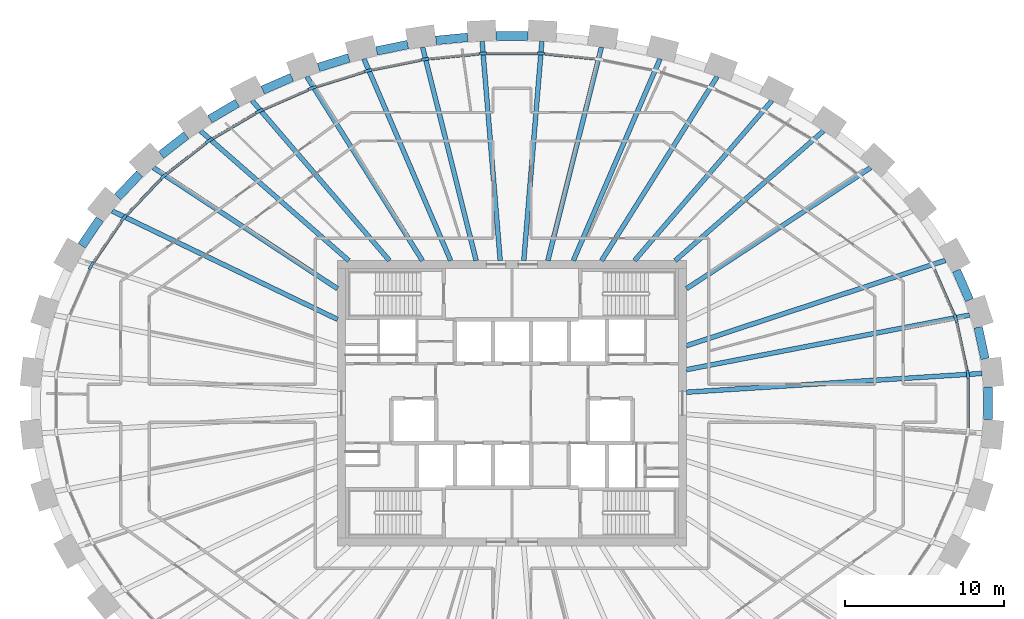
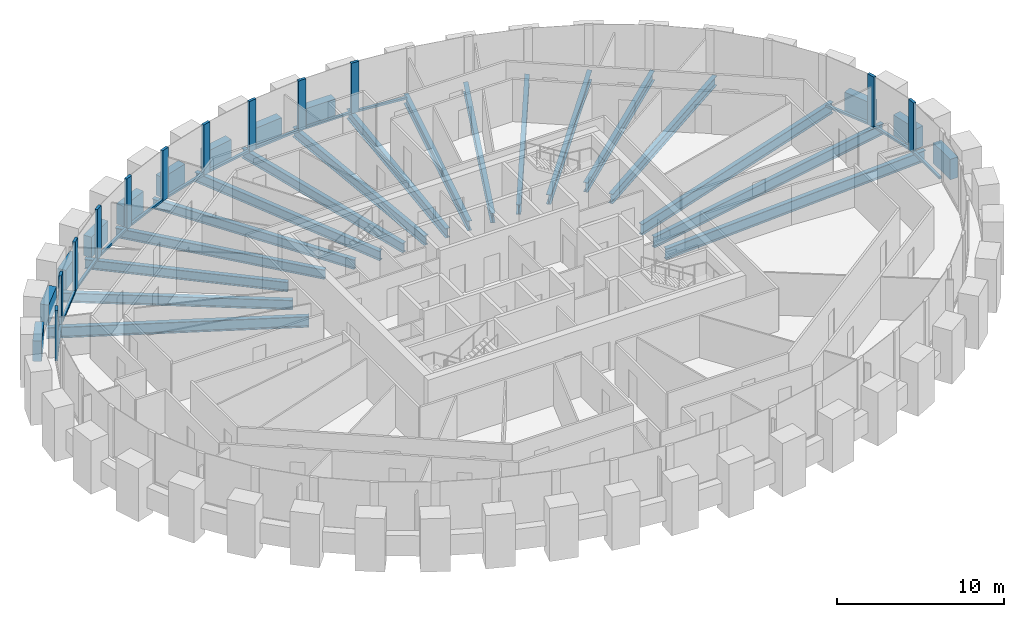
# One storey, part 3 of 12: 30 beams, 25 members, 1 element without a shape of its own.
"""IFC4 building model written with IfcOpenShell, lengths in metres."""

from ifc_helpers import new_model, si_unit, direction, frame, origin, origin_2d, place, context, subcontext, project, spatial, rectangle, i_section, extrude, source, transform, mapped, material, material_profile, profile_set, type_object, element, aggregate, save


model = new_model("IFC4")

# Units and contexts
model_context = context("Model", 3, precision=1e-05, world=origin(), true_north=direction((0.0, 1.0)))
body_context = subcontext(model_context, "Body", "Model", "MODEL_VIEW")
ifc_project = project(units=[si_unit("LENGTHUNIT", "METRE"), si_unit("AREAUNIT", "SQUARE_METRE"), si_unit("VOLUMEUNIT", "CUBIC_METRE"), si_unit("PLANEANGLEUNIT", "RADIAN"), si_unit("MASSUNIT", "GRAM", prefix="KILO")], contexts=[model_context])

# Site, building, storey
site_placement = place(None, origin())
site = spatial("IfcSite", under=ifc_project, at=site_placement, CompositionType="ELEMENT")
building_placement = place(site_placement, origin())
building = spatial("IfcBuilding", under=site, at=building_placement, Name="Embergate Tower", CompositionType="ELEMENT")
storey_placement = place(building_placement, frame((0.0, 0.0, 313.0)))
storey = spatial("IfcBuildingStorey", under=building, at=storey_placement, Name="L73", CompositionType="ELEMENT", Elevation=313.0)

# Beams
ifc_material_1 = material(Name="Concrete C50", Category="concrete")
ifc_material_profile_1 = material_profile(ifc_material_1, rectangle(XDim=0.550048828125, YDim=1.5, at=origin_2d()), Name="RC 550x1500")
ifc_profile_set_1 = profile_set([ifc_material_profile_1], Name="Concrete C50")
beam_type_1 = type_object("IfcBeamType", Name="Spandrel beam RC 550x1500 C50", PredefinedType="BEAM", material=ifc_profile_set_1)
shared_shape_1 = source(origin(), body_context, "Body", "SweptSolid", [
    extrude(rectangle(XDim=0.550048828125, YDim=1.5, at=origin_2d()), origin(), (0.0, 0.0, 1.0), 2.034423828125),
])
beam_1_placement = place(storey_placement, frame((29.823974609375, 2.80810546875, 0.0), z_axis=(-0.209897885741, 0.977723313398, 0.0), x_axis=(-0.977723313398, -0.209897885741, 0.0)))
element("IfcBeam", 1, at=beam_1_placement, inside=storey, type_object=beam_type_1, Name="SPN-L73-00", PredefinedType="BEAM", context=body_context, shape_type="MappedRepresentation", body=[
    mapped(shared_shape_1, transform((0.0, 0.0, 0.0))),
])
shared_shape_2 = source(origin(), body_context, "Body", "SweptSolid", [
    extrude(rectangle(XDim=0.550048828125, YDim=1.5, at=origin_2d()), origin(), (0.0, 0.0, 1.0), 2.03125),
])
beam_2_placement = place(storey_placement, frame((28.843017578125, 6.510009765625, 0.0), z_axis=(-0.401695096335, 0.915773470669, 0.0), x_axis=(-0.915773470669, -0.401695096335, 0.0)))
element("IfcBeam", 2, at=beam_2_placement, inside=storey, type_object=beam_type_1, Name="SPN-L73-01", PredefinedType="BEAM", context=body_context, shape_type="MappedRepresentation", body=[
    mapped(shared_shape_2, transform((0.0, 0.0, 0.0))),
])
shared_shape_3 = source(origin(), body_context, "Body", "SweptSolid", [
    extrude(rectangle(XDim=0.550048828125, YDim=1.5, at=origin_2d()), origin(), (0.0, 0.0, 1.0), 2.02392578125),
])
beam_3_placement = place(storey_placement, frame((-26.0, 11.60888671875, 0.0), z_axis=(-0.562220937061, -0.826987072408, 0.0), x_axis=(0.826987072408, -0.562220937061, 0.0)))
element("IfcBeam", 3, at=beam_3_placement, inside=storey, type_object=beam_type_1, Name="SPN-L73-18", PredefinedType="BEAM", context=body_context, shape_type="MappedRepresentation", body=[
    mapped(shared_shape_3, transform((0.0, 0.0, 0.0))),
])
shared_shape_4 = source(origin(), body_context, "Body", "SweptSolid", [
    extrude(rectangle(XDim=0.550048828125, YDim=1.5, at=origin_2d()), origin(), (0.0, 0.0, 1.0), 2.0185546875),
])
beam_4_placement = place(storey_placement, frame((-23.47607421875, 14.469970703125, 0.0), z_axis=(-0.690032605045, -0.723778283714, 0.0), x_axis=(0.723778283714, -0.690032605045, 0.0)))
element("IfcBeam", 4, at=beam_4_placement, inside=storey, type_object=beam_type_1, Name="SPN-L73-17", PredefinedType="BEAM", context=body_context, shape_type="MappedRepresentation", body=[
    mapped(shared_shape_4, transform((0.0, 0.0, 0.0))),
])
shared_shape_5 = source(origin(), body_context, "Body", "SweptSolid", [
    extrude(rectangle(XDim=0.550048828125, YDim=1.5, at=origin_2d()), origin(), (0.0, 0.0, 1.0), 2.011962890625),
])
beam_5_placement = place(storey_placement, frame((-20.5419921875, 16.902099609375, 0.0), z_axis=(-0.788259795351, -0.615342583471, 0.0), x_axis=(0.615342583471, -0.788259795351, 0.0)))
element("IfcBeam", 5, at=beam_5_placement, inside=storey, type_object=beam_type_1, Name="SPN-L73-16", PredefinedType="BEAM", context=body_context, shape_type="MappedRepresentation", body=[
    mapped(shared_shape_5, transform((0.0, 0.0, 0.0))),
])
shared_shape_6 = source(origin(), body_context, "Body", "SweptSolid", [
    extrude(rectangle(XDim=0.550048828125, YDim=1.5, at=origin_2d()), origin(), (0.0, 0.0, 1.0), 2.008056640625),
])
beam_6_placement = place(storey_placement, frame((-17.322021484375, 18.931884765625, 0.0), z_axis=(-0.86201859197, -0.506876658663, 0.0), x_axis=(0.506876658663, -0.86201859197, 0.0)))
element("IfcBeam", 6, at=beam_6_placement, inside=storey, type_object=beam_type_1, Name="SPN-L73-15", PredefinedType="BEAM", context=body_context, shape_type="MappedRepresentation", body=[
    mapped(shared_shape_6, transform((0.0, 0.0, 0.0))),
])
shared_shape_7 = source(origin(), body_context, "Body", "SweptSolid", [
    extrude(rectangle(XDim=0.550048828125, YDim=1.5, at=origin_2d()), origin(), (0.0, 0.0, 1.0), 2.0068359375),
])
beam_7_placement = place(storey_placement, frame((-13.8798828125, 20.552978515625, 0.0), z_axis=(-0.916455842534, -0.400135837793, 0.0), x_axis=(0.400135837793, -0.916455842534, 0.0)))
element("IfcBeam", 7, at=beam_7_placement, inside=storey, type_object=beam_type_1, Name="SPN-L73-14", PredefinedType="BEAM", context=body_context, shape_type="MappedRepresentation", body=[
    mapped(shared_shape_7, transform((0.0, 0.0, 0.0))),
])
shared_shape_8 = source(origin(), body_context, "Body", "SweptSolid", [
    extrude(rectangle(XDim=0.550048828125, YDim=1.5, at=origin_2d()), origin(), (0.0, 0.0, 1.0), 2.0048828125),
])
beam_8_placement = place(storey_placement, frame((-10.280029296875, 21.778076171875, 0.0), z_axis=(-0.954756929567, -0.297387298725, 0.0), x_axis=(0.297387298725, -0.954756929567, 0.0)))
element("IfcBeam", 8, at=beam_8_placement, inside=storey, type_object=beam_type_1, Name="SPN-L73-13", PredefinedType="BEAM", context=body_context, shape_type="MappedRepresentation", body=[
    mapped(shared_shape_8, transform((0.0, 0.0, 0.0))),
])
shared_shape_9 = source(origin(), body_context, "Body", "SweptSolid", [
    extrude(rectangle(XDim=0.550048828125, YDim=1.5, at=origin_2d()), origin(), (0.0, 0.0, 1.0), 2.003173828125),
])
beam_9_placement = place(storey_placement, frame((-6.572021484375, 22.617919921875, 0.0), z_axis=(-0.980364457571, -0.197194143753, 0.0), x_axis=(0.197194143753, -0.980364457571, 0.0)))
element("IfcBeam", 9, at=beam_9_placement, inside=storey, type_object=beam_type_1, Name="SPN-L73-12", PredefinedType="BEAM", context=body_context, shape_type="MappedRepresentation", body=[
    mapped(shared_shape_9, transform((0.0, 0.0, 0.0))),
])
shared_shape_10 = source(origin(), body_context, "Body", "SweptSolid", [
    extrude(rectangle(XDim=0.550048828125, YDim=1.5, at=origin_2d()), origin(), (0.0, 0.0, 1.0), 2.00341796875),
])
beam_10_placement = place(storey_placement, frame((-2.798095703125, 23.0791015625, 0.0), z_axis=(-0.995201107697, -0.097850678276, 0.0), x_axis=(0.097850678276, -0.995201107697, 0.0)))
element("IfcBeam", 10, at=beam_10_placement, inside=storey, type_object=beam_type_1, Name="SPN-L73-11", PredefinedType="BEAM", context=body_context, shape_type="MappedRepresentation", body=[
    mapped(shared_shape_10, transform((0.0, 0.0, 0.0))),
])
shared_shape_11 = source(origin(), body_context, "Body", "SweptSolid", [
    extrude(rectangle(XDim=0.550048828125, YDim=1.5, at=origin_2d()), origin(), (0.0, 0.0, 1.0), 2.001953125),
])
beam_11_placement = place(storey_placement, frame((1.0009765625, 23.1669921875, 0.0), z_axis=(-1.0, 0.0, 0.0), x_axis=(0.0, -1.0, 0.0)))
element("IfcBeam", 11, at=beam_11_placement, inside=storey, type_object=beam_type_1, Name="SPN-L73-10", PredefinedType="BEAM", context=body_context, shape_type="MappedRepresentation", body=[
    mapped(shared_shape_11, transform((0.0, 0.0, 0.0))),
])
shared_shape_12 = source(origin(), body_context, "Body", "SweptSolid", [
    extrude(rectangle(XDim=0.550048828125, YDim=1.5, at=origin_2d()), origin(), (0.0, 0.0, 1.0), 2.0361328125),
])
beam_12_placement = place(storey_placement, frame((30.014892578125, -1.01806640625, 0.0), z_axis=(0.0, 1.0, 0.0), x_axis=(-1.0, 0.0, 0.0)))
element("IfcBeam", 12, at=beam_12_placement, inside=storey, type_object=beam_type_1, Name="SPN-L73-43", PredefinedType="BEAM", context=body_context, shape_type="MappedRepresentation", body=[
    mapped(shared_shape_12, transform((0.0, 0.0, 0.0))),
])
ifc_material_2 = material(Name="Steel Q355B", Category="steel")
ifc_material_profile_2 = material_profile(ifc_material_2, i_section(OverallWidth=0.300048828125, OverallDepth=0.800048828125, WebThickness=0.013916015625, FlangeThickness=0.02587890625, FilletRadius=0.028076171875, at=origin_2d()), Name="HN 800x300x14x26")
ifc_profile_set_2 = profile_set([ifc_material_profile_2], Name="Steel Q355 grade B")
beam_type_2 = type_object("IfcBeamType", Name="Radial girder HN 800x300x14x26", PredefinedType="BEAM", material=ifc_profile_set_2)
shared_shape_13 = source(origin(), body_context, "Body", "SweptSolid", [
    extrude(i_section(OverallWidth=0.300048828125, OverallDepth=0.800048828125, WebThickness=0.013916015625, FlangeThickness=0.02587890625, FilletRadius=0.028076171875, at=origin_2d()), origin(), (0.0, 0.0, 1.0), 18.677490234375),
])
beam_13_placement = place(storey_placement, frame((29.639892578125, 1.883056640625, -0.60009765625), z_axis=(-0.997988431548, -0.063396297175, 0.0), x_axis=(0.063396297175, -0.997988431548, 0.0)))
element("IfcBeam", 13, at=beam_13_placement, inside=storey, type_object=beam_type_2, Name="GIR-L73-00", PredefinedType="BEAM", context=body_context, shape_type="MappedRepresentation", body=[
    mapped(shared_shape_13, transform((0.0, 0.0, 0.0))),
])
shared_shape_14 = source(origin(), body_context, "Body", "SweptSolid", [
    extrude(i_section(OverallWidth=0.300048828125, OverallDepth=0.800048828125, WebThickness=0.013916015625, FlangeThickness=0.02587890625, FilletRadius=0.028076171875, at=origin_2d()), origin(), (0.0, 0.0, 1.0), 18.177001953125),
])
beam_14_placement = place(storey_placement, frame((28.847900390625, 5.56494140625, -0.60009765625), z_axis=(-0.981898318419, -0.189408796749, 0.0), x_axis=(0.189408796749, -0.981898318419, 0.0)))
element("IfcBeam", 14, at=beam_14_placement, inside=storey, type_object=beam_type_2, Name="GIR-L73-01", PredefinedType="BEAM", context=body_context, shape_type="MappedRepresentation", body=[
    mapped(shared_shape_14, transform((0.0, 0.0, 0.0))),
])
shared_shape_15 = source(origin(), body_context, "Body", "SweptSolid", [
    extrude(i_section(OverallWidth=0.300048828125, OverallDepth=0.800048828125, WebThickness=0.013916015625, FlangeThickness=0.02587890625, FilletRadius=0.028076171875, at=origin_2d()), origin(), (0.0, 0.0, 1.0), 17.2001953125),
])
beam_15_placement = place(storey_placement, frame((27.3349609375, 9.014892578125, -0.60009765625), z_axis=(-0.949690470212, -0.313190055378, 0.0), x_axis=(0.313190055378, -0.949690470212, 0.0)))
element("IfcBeam", 15, at=beam_15_placement, inside=storey, type_object=beam_type_2, Name="GIR-L73-02", PredefinedType="BEAM", context=body_context, shape_type="MappedRepresentation", body=[
    mapped(shared_shape_15, transform((0.0, 0.0, 0.0))),
])
shared_shape_16 = source(origin(), body_context, "Body", "SweptSolid", [
    extrude(i_section(OverallWidth=0.300048828125, OverallDepth=0.800048828125, WebThickness=0.013916015625, FlangeThickness=0.02587890625, FilletRadius=0.028076171875, at=origin_2d()), origin(), (0.0, 0.0, 1.0), 15.775634765625),
])
beam_16_placement = place(storey_placement, frame((-25.216064453125, 12.131103515625, -0.60009765625), z_axis=(0.901141870193, -0.433524312795, 0.0), x_axis=(0.433524312795, 0.901141870193, 0.0)))
element("IfcBeam", 16, at=beam_16_placement, inside=storey, type_object=beam_type_2, Name="GIR-L73-18", PredefinedType="BEAM", context=body_context, shape_type="MappedRepresentation", body=[
    mapped(shared_shape_16, transform((0.0, 0.0, 0.0))),
])
ifc_material_profile_3 = material_profile(ifc_material_2, i_section(OverallWidth=0.300048828125, OverallDepth=0.699951171875, WebThickness=0.012939453125, FlangeThickness=0.02392578125, FilletRadius=0.01806640625, at=origin_2d()), Name="HN 700x300x13x24")
ifc_profile_set_3 = profile_set([ifc_material_profile_3], Name="Steel Q355 grade B")
beam_type_3 = type_object("IfcBeamType", Name="Radial girder HN 700x300x13x24", PredefinedType="BEAM", material=ifc_profile_set_3)
shared_shape_17 = source(origin(), body_context, "Body", "SweptSolid", [
    extrude(i_section(OverallWidth=0.300048828125, OverallDepth=0.699951171875, WebThickness=0.012939453125, FlangeThickness=0.02392578125, FilletRadius=0.01806640625, at=origin_2d()), origin(), (0.0, 0.0, 1.0), 13.89794921875),
])
for number, where, z_axis, x_axis, name in (
    (17, (22.614990234375, 14.85888671875, -0.550048828125), (-0.835734272266, -0.549134069386, 0.0), (0.549134069386, -0.835734272266, 0.0), "GIR-L73-04"),
    (18, (-22.614990234375, 14.85888671875, -0.550048828125), (0.835734272266, -0.549134069386, 0.0), (0.549134069386, 0.835734272266, 0.0), "GIR-L73-17"),
):
    element("IfcBeam", number, at=place(storey_placement, frame(where, z_axis=z_axis, x_axis=x_axis)), inside=storey, type_object=beam_type_3, Name=name, PredefinedType="BEAM", context=body_context, shape_type="MappedRepresentation", body=[
        mapped(shared_shape_17, transform((0.0, 0.0, 0.0))),
    ])
shared_shape_18 = source(origin(), body_context, "Body", "SweptSolid", [
    extrude(i_section(OverallWidth=0.300048828125, OverallDepth=0.699951171875, WebThickness=0.012939453125, FlangeThickness=0.02392578125, FilletRadius=0.01806640625, at=origin_2d()), origin(), (0.0, 0.0, 1.0), 12.424072265625),
])
for number, where, z_axis, x_axis, name in (
    (19, (19.64306640625, 17.178955078125, -0.550048828125), (-0.752739789834, -0.658318166847, 0.0), (0.658318166847, -0.752739789834, 0.0), "GIR-L73-05"),
    (20, (-19.64306640625, 17.178955078125, -0.550048828125), (0.752739789834, -0.658318166847, 0.0), (0.658318166847, 0.752739789834, 0.0), "GIR-L73-16"),
):
    element("IfcBeam", number, at=place(storey_placement, frame(where, z_axis=z_axis, x_axis=x_axis)), inside=storey, type_object=beam_type_3, Name=name, PredefinedType="BEAM", context=body_context, shape_type="MappedRepresentation", body=[
        mapped(shared_shape_18, transform((0.0, 0.0, 0.0))),
    ])
shared_shape_19 = source(origin(), body_context, "Body", "SweptSolid", [
    extrude(i_section(OverallWidth=0.300048828125, OverallDepth=0.699951171875, WebThickness=0.012939453125, FlangeThickness=0.02392578125, FilletRadius=0.01806640625, at=origin_2d()), origin(), (0.0, 0.0, 1.0), 13.300048828125),
])
for number, where, z_axis, x_axis, name in (
    (21, (16.39306640625, 19.090087890625, -0.550048828125), (-0.651501585067, -0.758647272885, 0.0), (0.758647272885, -0.651501585067, 0.0), "GIR-L73-06"),
    (22, (-16.39306640625, 19.090087890625, -0.550048828125), (0.651501585067, -0.758647272885, 0.0), (0.758647272885, 0.651501585067, 0.0), "GIR-L73-15"),
):
    element("IfcBeam", number, at=place(storey_placement, frame(where, z_axis=z_axis, x_axis=x_axis)), inside=storey, type_object=beam_type_3, Name=name, PredefinedType="BEAM", context=body_context, shape_type="MappedRepresentation", body=[
        mapped(shared_shape_19, transform((0.0, 0.0, 0.0))),
    ])
shared_shape_20 = source(origin(), body_context, "Body", "SweptSolid", [
    extrude(i_section(OverallWidth=0.300048828125, OverallDepth=0.699951171875, WebThickness=0.012939453125, FlangeThickness=0.02392578125, FilletRadius=0.01806640625, at=origin_2d()), origin(), (0.0, 0.0, 1.0), 13.698486328125),
])
for number, where, z_axis, x_axis, name in (
    (23, (12.93798828125, 20.60009765625, -0.550048828125), (-0.5318784163, -0.846820730895, 0.0), (0.846820730895, -0.5318784163, 0.0), "GIR-L73-07"),
    (24, (-12.93798828125, 20.60009765625, -0.550048828125), (0.5318784163, -0.846820730895, 0.0), (0.846820730895, 0.5318784163, 0.0), "GIR-L73-14"),
):
    element("IfcBeam", number, at=place(storey_placement, frame(where, z_axis=z_axis, x_axis=x_axis)), inside=storey, type_object=beam_type_3, Name=name, PredefinedType="BEAM", context=body_context, shape_type="MappedRepresentation", body=[
        mapped(shared_shape_20, transform((0.0, 0.0, 0.0))),
    ])
shared_shape_21 = source(origin(), body_context, "Body", "SweptSolid", [
    extrude(i_section(OverallWidth=0.300048828125, OverallDepth=0.699951171875, WebThickness=0.012939453125, FlangeThickness=0.02392578125, FilletRadius=0.01806640625, at=origin_2d()), origin(), (0.0, 0.0, 1.0), 13.846435546875),
])
for number, where, z_axis, x_axis, name in (
    (25, (9.3369140625, 21.720947265625, -0.550048828125), (-0.394906469697, -0.918721328909, 0.0), (0.918721328909, -0.394906469697, 0.0), "GIR-L73-08"),
    (26, (-9.3369140625, 21.720947265625, -0.550048828125), (0.394906469697, -0.918721328909, 0.0), (0.918721328909, 0.394906469697, 0.0), "GIR-L73-13"),
):
    element("IfcBeam", number, at=place(storey_placement, frame(where, z_axis=z_axis, x_axis=x_axis)), inside=storey, type_object=beam_type_3, Name=name, PredefinedType="BEAM", context=body_context, shape_type="MappedRepresentation", body=[
        mapped(shared_shape_21, transform((0.0, 0.0, 0.0))),
    ])
shared_shape_22 = source(origin(), body_context, "Body", "SweptSolid", [
    extrude(i_section(OverallWidth=0.300048828125, OverallDepth=0.699951171875, WebThickness=0.012939453125, FlangeThickness=0.02392578125, FilletRadius=0.01806640625, at=origin_2d()), origin(), (0.0, 0.0, 1.0), 13.88037109375),
])
for number, where, z_axis, x_axis, name in (
    (27, (5.638916015625, 22.462890625, -0.550048828125), (-0.243429448645, -0.969918606653, 0.0), (0.969918606653, -0.243429448645, 0.0), "GIR-L73-09"),
    (28, (-5.638916015625, 22.462890625, -0.550048828125), (0.243429448645, -0.969918606653, 0.0), (0.969918606653, 0.243429448645, 0.0), "GIR-L73-12"),
):
    element("IfcBeam", number, at=place(storey_placement, frame(where, z_axis=z_axis, x_axis=x_axis)), inside=storey, type_object=beam_type_3, Name=name, PredefinedType="BEAM", context=body_context, shape_type="MappedRepresentation", body=[
        mapped(shared_shape_22, transform((0.0, 0.0, 0.0))),
    ])
shared_shape_23 = source(origin(), body_context, "Body", "SweptSolid", [
    extrude(i_section(OverallWidth=0.300048828125, OverallDepth=0.699951171875, WebThickness=0.012939453125, FlangeThickness=0.02392578125, FilletRadius=0.01806640625, at=origin_2d()), origin(), (0.0, 0.0, 1.0), 13.879150390625),
])
for number, where, z_axis, x_axis, name in (
    (29, (1.885009765625, 22.83203125, -0.550048828125), (-0.082288456924, -0.996608553975, 0.0), (0.996608553975, -0.082288456924, 0.0), "GIR-L73-10"),
    (30, (-1.885009765625, 22.83203125, -0.550048828125), (0.082288456924, -0.996608553975, 0.0), (0.996608553975, 0.082288456924, 0.0), "GIR-L73-11"),
):
    element("IfcBeam", number, at=place(storey_placement, frame(where, z_axis=z_axis, x_axis=x_axis)), inside=storey, type_object=beam_type_3, Name=name, PredefinedType="BEAM", context=body_context, shape_type="MappedRepresentation", body=[
        mapped(shared_shape_23, transform((0.0, 0.0, 0.0))),
    ])

# Curtain wall, members
ifc_material_3 = material(Name="Aluminium and glass", Category="aluminium")
curtain_wall_type = type_object("IfcCurtainWallType", Name="Recessed office glazing", PredefinedType="NOTDEFINED", material=ifc_material_3)
curtain_wall_placement = place(storey_placement, origin())
curtain_wall = element("IfcCurtainWall", 31, at=curtain_wall_placement, inside=storey, type_object=curtain_wall_type, Name="Recessed office glazing ring", ObjectType="RECESSED OFFICE GLAZING", PredefinedType="USERDEFINED")
ifc_material_4 = material(Name="Aluminium, thermally broken", Category="aluminium")
ifc_material_profile_4 = material_profile(ifc_material_4, rectangle(XDim=0.179931640625, YDim=0.52001953125, at=origin_2d()), Name="AL 520x180")
ifc_profile_set_4 = profile_set([ifc_material_profile_4], Name="Aluminium, thermally broken")
member_type_1 = type_object("IfcMemberType", Name="Office mullion", PredefinedType="MULLION", material=ifc_profile_set_4)
shared_shape_24 = source(origin(), body_context, "Body", "SweptSolid", [
    extrude(rectangle(XDim=0.179931640625, YDim=0.52001953125, at=origin_2d()), origin(), (0.0, 0.0, 1.0), 3.699951171875),
])
member_1_placement = place(storey_placement, frame((28.7509765625, 1.809326171875, 0.0), z_axis=(0.0, 0.0, 1.0), x_axis=(-0.994384031216, -0.105831934987, 0.0)))
member_1 = element("IfcMember", 32, at=member_1_placement, type_object=member_type_1, Name="CW mullion 1", PredefinedType="MULLION", context=body_context, shape_type="MappedRepresentation", body=[
    mapped(shared_shape_24, transform((0.0, 0.0, 0.0))),
])
member_2_placement = place(storey_placement, frame((27.989013671875, 5.349853515625, 0.0), z_axis=(0.0, 0.0, 1.0), x_axis=(-0.951491891254, -0.307673822216, 0.0)))
member_2 = element("IfcMember", 33, at=member_2_placement, type_object=member_type_1, Name="CW mullion 2", PredefinedType="MULLION", context=body_context, shape_type="MappedRepresentation", body=[
    mapped(shared_shape_24, transform((0.0, 0.0, 0.0))),
])
member_3_placement = place(storey_placement, frame((1.834716796875, 22.05615234375, 0.0), z_axis=(0.0, 0.0, 1.0), x_axis=(-0.048971796621, -0.998800161762, 0.0)))
member_3 = element("IfcMember", 34, at=member_3_placement, type_object=member_type_1, Name="CW mullion 11", PredefinedType="MULLION", context=body_context, shape_type="MappedRepresentation", body=[
    mapped(shared_shape_24, transform((0.0, 0.0, 0.0))),
])
member_4_placement = place(storey_placement, frame((-1.834716796875, 22.05615234375, 0.0), z_axis=(0.0, 0.0, 1.0), x_axis=(0.048971796621, -0.998800161762, 0.0)))
member_4 = element("IfcMember", 35, at=member_4_placement, type_object=member_type_1, Name="CW mullion 12", PredefinedType="MULLION", context=body_context, shape_type="MappedRepresentation", body=[
    mapped(shared_shape_24, transform((0.0, 0.0, 0.0))),
])
member_5_placement = place(storey_placement, frame((-5.486328125, 21.697265625, 0.0), z_axis=(0.0, 0.0, 1.0), x_axis=(0.147410656556, -0.989075375456, 0.0)))
member_5 = element("IfcMember", 36, at=member_5_placement, type_object=member_type_1, Name="CW mullion 13", PredefinedType="MULLION", context=body_context, shape_type="MappedRepresentation", body=[
    mapped(shared_shape_24, transform((0.0, 0.0, 0.0))),
])
member_6_placement = place(storey_placement, frame((-9.082763671875, 20.97607421875, 0.0), z_axis=(0.0, 0.0, 1.0), x_axis=(0.247310190257, -0.968936360034, 0.0)))
member_6 = element("IfcMember", 37, at=member_6_placement, type_object=member_type_1, Name="CW mullion 14", PredefinedType="MULLION", context=body_context, shape_type="MappedRepresentation", body=[
    mapped(shared_shape_24, transform((0.0, 0.0, 0.0))),
])
member_7_placement = place(storey_placement, frame((-12.582763671875, 19.885986328125, 0.0), z_axis=(0.0, 0.0, 1.0), x_axis=(0.349501047589, -0.936935973124, 0.0)))
member_7 = element("IfcMember", 38, at=member_7_placement, type_object=member_type_1, Name="CW mullion 15", PredefinedType="MULLION", context=body_context, shape_type="MappedRepresentation", body=[
    mapped(shared_shape_24, transform((0.0, 0.0, 0.0))),
])
member_8_placement = place(storey_placement, frame((-15.9384765625, 18.418701171875, 0.0), z_axis=(0.0, 0.0, 1.0), x_axis=(0.454506716612, -0.890743310138, 0.0)))
member_8 = element("IfcMember", 39, at=member_8_placement, type_object=member_type_1, Name="CW mullion 16", PredefinedType="MULLION", context=body_context, shape_type="MappedRepresentation", body=[
    mapped(shared_shape_24, transform((0.0, 0.0, 0.0))),
])
member_9_placement = place(storey_placement, frame((-19.092041015625, 16.564697265625, 0.0), z_axis=(0.0, 0.0, 1.0), x_axis=(0.562210401679, -0.82699423471, 0.0)))
member_9 = element("IfcMember", 40, at=member_9_placement, type_object=member_type_1, Name="CW mullion 17", PredefinedType="MULLION", context=body_context, shape_type="MappedRepresentation", body=[
    mapped(shared_shape_24, transform((0.0, 0.0, 0.0))),
])
member_10_placement = place(storey_placement, frame((-21.97119140625, 14.3173828125, 0.0), z_axis=(0.0, 0.0, 1.0), x_axis=(0.671217477801, -0.741260478843, 0.0)))
member_10 = element("IfcMember", 41, at=member_10_placement, type_object=member_type_1, Name="CW mullion 18", PredefinedType="MULLION", context=body_context, shape_type="MappedRepresentation", body=[
    mapped(shared_shape_24, transform((0.0, 0.0, 0.0))),
])
member_11_placement = place(storey_placement, frame((-24.48681640625, 11.6796875, 0.0), z_axis=(0.0, 0.0, 1.0), x_axis=(0.777861596203, -0.628435626897, 0.0)))
member_11 = element("IfcMember", 42, at=member_11_placement, type_object=member_type_1, Name="CW mullion 19", PredefinedType="MULLION", context=body_context, shape_type="MappedRepresentation", body=[
    mapped(shared_shape_24, transform((0.0, 0.0, 0.0))),
])
member_12_placement = place(storey_placement, frame((-26.53173828125, 8.67236328125, 0.0), z_axis=(0.0, 0.0, 1.0), x_axis=(0.874991756265, -0.484137817639, 0.0)))
member_12 = element("IfcMember", 43, at=member_12_placement, type_object=member_type_1, Name="CW mullion 20", PredefinedType="MULLION", context=body_context, shape_type="MappedRepresentation", body=[
    mapped(shared_shape_24, transform((0.0, 0.0, 0.0))),
])
ifc_material_profile_5 = material_profile(ifc_material_4, rectangle(XDim=0.179931640625, YDim=0.14990234375, at=origin_2d()), Name="AL 150x180")
ifc_profile_set_5 = profile_set([ifc_material_profile_5], Name="Aluminium, thermally broken")
member_type_2 = type_object("IfcMemberType", Name="Office sill transom", PredefinedType="USERDEFINED", material=ifc_profile_set_5)
shared_shape_25 = source(origin(), body_context, "Body", "SweptSolid", [
    extrude(rectangle(XDim=0.179931640625, YDim=0.14990234375, at=origin_2d()), origin(), (0.0, 0.0, 1.0), 3.101318359375),
])
member_13_placement = place(storey_placement, frame((28.6962890625, 2.063720703125, 0.074951171875), z_axis=(-0.210416031857, 0.97761193402, 0.0), x_axis=(-0.97761193402, -0.210416031857, 0.0)))
member_13 = element("IfcMember", 44, at=member_13_placement, type_object=member_type_2, Name="CW transom 1.1", ObjectType="TRANSOM", PredefinedType="USERDEFINED", context=body_context, shape_type="MappedRepresentation", body=[
    mapped(shared_shape_25, transform((0.0, 0.0, 0.0))),
])
shared_shape_26 = source(origin(), body_context, "Body", "SweptSolid", [
    extrude(rectangle(XDim=0.179931640625, YDim=0.14990234375, at=origin_2d()), origin(), (0.0, 0.0, 1.0), 3.108154296875),
])
member_14_placement = place(storey_placement, frame((27.884765625, 5.587890625, 0.074951171875), z_axis=(-0.401688075914, 0.915776550075, 0.0), x_axis=(-0.915776550075, -0.401688075914, 0.0)))
member_14 = element("IfcMember", 45, at=member_14_placement, type_object=member_type_2, Name="CW transom 2.1", ObjectType="TRANSOM", PredefinedType="USERDEFINED", context=body_context, shape_type="MappedRepresentation", body=[
    mapped(shared_shape_26, transform((0.0, 0.0, 0.0))),
])
shared_shape_27 = source(origin(), body_context, "Body", "SweptSolid", [
    extrude(rectangle(XDim=0.179931640625, YDim=0.14990234375, at=origin_2d()), origin(), (0.0, 0.0, 1.0), 3.116455078125),
])
member_15_placement = place(storey_placement, frame((-24.633056640625, 11.464599609375, 0.074951171875), z_axis=(-0.562305735985, -0.826929416141, 0.0), x_axis=(0.826929416141, -0.562305735985, 0.0)))
member_15 = element("IfcMember", 46, at=member_15_placement, type_object=member_type_2, Name="CW transom 19.1", ObjectType="TRANSOM", PredefinedType="USERDEFINED", context=body_context, shape_type="MappedRepresentation", body=[
    mapped(shared_shape_27, transform((0.0, 0.0, 0.0))),
])
shared_shape_28 = source(origin(), body_context, "Body", "SweptSolid", [
    extrude(rectangle(XDim=0.179931640625, YDim=0.14990234375, at=origin_2d()), origin(), (0.0, 0.0, 1.0), 3.125244140625),
])
member_16_placement = place(storey_placement, frame((-22.150634765625, 14.12939453125, 0.074951171875), z_axis=(-0.69011149361, -0.723703065067, 0.0), x_axis=(0.723703065067, -0.69011149361, 0.0)))
member_16 = element("IfcMember", 47, at=member_16_placement, type_object=member_type_2, Name="CW transom 18.1", ObjectType="TRANSOM", PredefinedType="USERDEFINED", context=body_context, shape_type="MappedRepresentation", body=[
    mapped(shared_shape_28, transform((0.0, 0.0, 0.0))),
])
shared_shape_29 = source(origin(), body_context, "Body", "SweptSolid", [
    extrude(rectangle(XDim=0.179931640625, YDim=0.14990234375, at=origin_2d()), origin(), (0.0, 0.0, 1.0), 3.132080078125),
])
member_17_placement = place(storey_placement, frame((-19.297119140625, 16.404541015625, 0.074951171875), z_axis=(-0.788280741955, -0.615315749727, 0.0), x_axis=(0.615315749727, -0.788280741955, 0.0)))
member_17 = element("IfcMember", 48, at=member_17_placement, type_object=member_type_2, Name="CW transom 17.1", ObjectType="TRANSOM", PredefinedType="USERDEFINED", context=body_context, shape_type="MappedRepresentation", body=[
    mapped(shared_shape_29, transform((0.0, 0.0, 0.0))),
])
shared_shape_30 = source(origin(), body_context, "Body", "SweptSolid", [
    extrude(rectangle(XDim=0.179931640625, YDim=0.14990234375, at=origin_2d()), origin(), (0.0, 0.0, 1.0), 3.13818359375),
])
member_18_placement = place(storey_placement, frame((-16.16259765625, 18.286865234375, 0.074951171875), z_axis=(-0.862044187524, -0.506833127129, 0.0), x_axis=(0.506833127129, -0.862044187524, 0.0)))
member_18 = element("IfcMember", 49, at=member_18_placement, type_object=member_type_2, Name="CW transom 16.1", ObjectType="TRANSOM", PredefinedType="USERDEFINED", context=body_context, shape_type="MappedRepresentation", body=[
    mapped(shared_shape_30, transform((0.0, 0.0, 0.0))),
])
shared_shape_31 = source(origin(), body_context, "Body", "SweptSolid", [
    extrude(rectangle(XDim=0.179931640625, YDim=0.14990234375, at=origin_2d()), origin(), (0.0, 0.0, 1.0), 3.142578125),
])
member_19_placement = place(storey_placement, frame((-12.82080078125, 19.78173828125, 0.074951171875), z_axis=(-0.916239332715, -0.400631358217, 0.0), x_axis=(0.400631358217, -0.916239332715, 0.0)))
member_19 = element("IfcMember", 50, at=member_19_placement, type_object=member_type_2, Name="CW transom 15.1", ObjectType="TRANSOM", PredefinedType="USERDEFINED", context=body_context, shape_type="MappedRepresentation", body=[
    mapped(shared_shape_31, transform((0.0, 0.0, 0.0))),
])
shared_shape_32 = source(origin(), body_context, "Body", "SweptSolid", [
    extrude(rectangle(XDim=0.179931640625, YDim=0.14990234375, at=origin_2d()), origin(), (0.0, 0.0, 1.0), 3.145751953125),
])
member_20_placement = place(storey_placement, frame((-9.3310546875, 20.898681640625, 0.074951171875), z_axis=(-0.954775040365, -0.297329148077, 0.0), x_axis=(0.297329148077, -0.954775040365, 0.0)))
member_20 = element("IfcMember", 51, at=member_20_placement, type_object=member_type_2, Name="CW transom 14.1", ObjectType="TRANSOM", PredefinedType="USERDEFINED", context=body_context, shape_type="MappedRepresentation", body=[
    mapped(shared_shape_32, transform((0.0, 0.0, 0.0))),
])
shared_shape_33 = source(origin(), body_context, "Body", "SweptSolid", [
    extrude(rectangle(XDim=0.179931640625, YDim=0.14990234375, at=origin_2d()), origin(), (0.0, 0.0, 1.0), 3.148193359375),
])
member_21_placement = place(storey_placement, frame((-5.7412109375, 21.64599609375, 0.074951171875), z_axis=(-0.980485111411, -0.19659335264, 0.0), x_axis=(0.19659335264, -0.980485111411, 0.0)))
member_21 = element("IfcMember", 52, at=member_21_placement, type_object=member_type_2, Name="CW transom 13.1", ObjectType="TRANSOM", PredefinedType="USERDEFINED", context=body_context, shape_type="MappedRepresentation", body=[
    mapped(shared_shape_33, transform((0.0, 0.0, 0.0))),
])
shared_shape_34 = source(origin(), body_context, "Body", "SweptSolid", [
    extrude(rectangle(XDim=0.179931640625, YDim=0.14990234375, at=origin_2d()), origin(), (0.0, 0.0, 1.0), 3.149169921875),
])
member_22_placement = place(storey_placement, frame((5.2275390625, 21.72265625, 0.074951171875), z_axis=(-0.995202362026, 0.097837920143, 0.0), x_axis=(-0.097837920143, -0.995202362026, 0.0)))
member_22 = element("IfcMember", 53, at=member_22_placement, type_object=member_type_2, Name="CW transom 10.1", ObjectType="TRANSOM", PredefinedType="USERDEFINED", context=body_context, shape_type="MappedRepresentation", body=[
    mapped(shared_shape_34, transform((0.0, 0.0, 0.0))),
])
member_23_placement = place(storey_placement, frame((-2.093505859375, 22.03076171875, 0.074951171875), z_axis=(-0.995202362026, -0.097837920143, 0.0), x_axis=(0.097837920143, -0.995202362026, 0.0)))
member_23 = element("IfcMember", 54, at=member_23_placement, type_object=member_type_2, Name="CW transom 12.1", ObjectType="TRANSOM", PredefinedType="USERDEFINED", context=body_context, shape_type="MappedRepresentation", body=[
    mapped(shared_shape_34, transform((0.0, 0.0, 0.0))),
])
shared_shape_35 = source(origin(), body_context, "Body", "SweptSolid", [
    extrude(rectangle(XDim=0.179931640625, YDim=0.14990234375, at=origin_2d()), origin(), (0.0, 0.0, 1.0), 3.1494140625),
])
member_24_placement = place(storey_placement, frame((1.57470703125, 22.05615234375, 0.074951171875), z_axis=(-1.0, 0.0, 0.0), x_axis=(0.0, -1.0, 0.0)))
member_24 = element("IfcMember", 55, at=member_24_placement, type_object=member_type_2, Name="CW transom 11.1", ObjectType="TRANSOM", PredefinedType="USERDEFINED", context=body_context, shape_type="MappedRepresentation", body=[
    mapped(shared_shape_35, transform((0.0, 0.0, 0.0))),
])
shared_shape_36 = source(origin(), body_context, "Body", "SweptSolid", [
    extrude(rectangle(XDim=0.179931640625, YDim=0.14990234375, at=origin_2d()), origin(), (0.0, 0.0, 1.0), 3.0986328125),
])
member_25_placement = place(storey_placement, frame((28.7509765625, -1.54931640625, 0.074951171875), z_axis=(0.0, 1.0, 0.0), x_axis=(-1.0, 0.0, 0.0)))
member_25 = element("IfcMember", 56, at=member_25_placement, type_object=member_type_2, Name="CW transom 44.1", ObjectType="TRANSOM", PredefinedType="USERDEFINED", context=body_context, shape_type="MappedRepresentation", body=[
    mapped(shared_shape_36, transform((0.0, 0.0, 0.0))),
])
aggregate(curtain_wall, [member_1, member_2, member_3, member_4, member_5, member_6, member_7, member_8, member_9, member_10, member_11, member_12, member_13, member_14, member_22, member_24, member_23, member_21, member_20, member_19, member_18, member_17, member_16, member_15, member_25])

save(model, "model.ifc")
